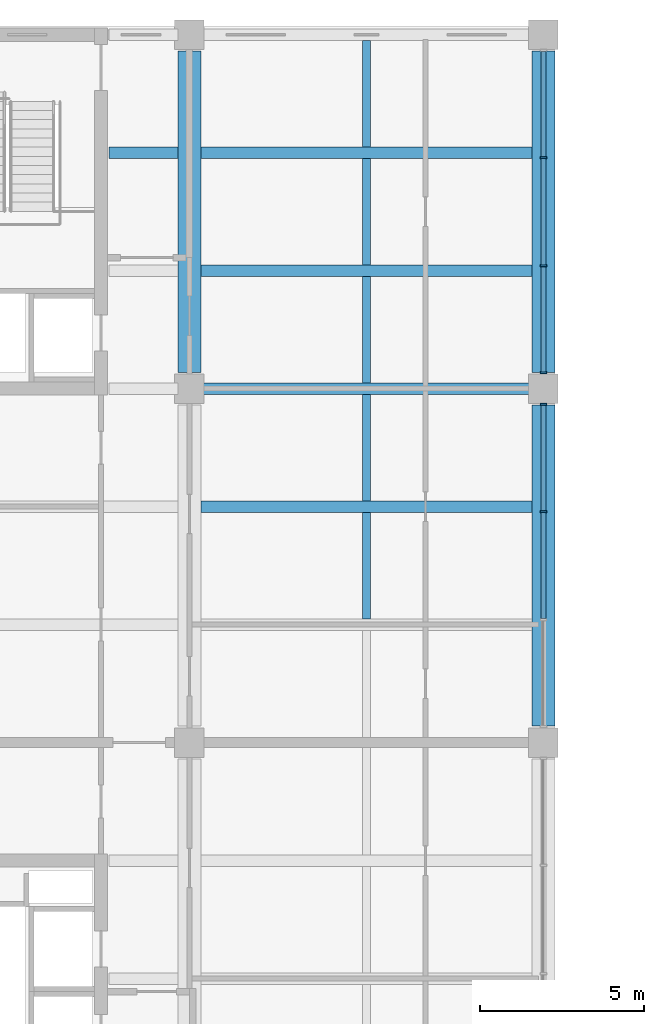
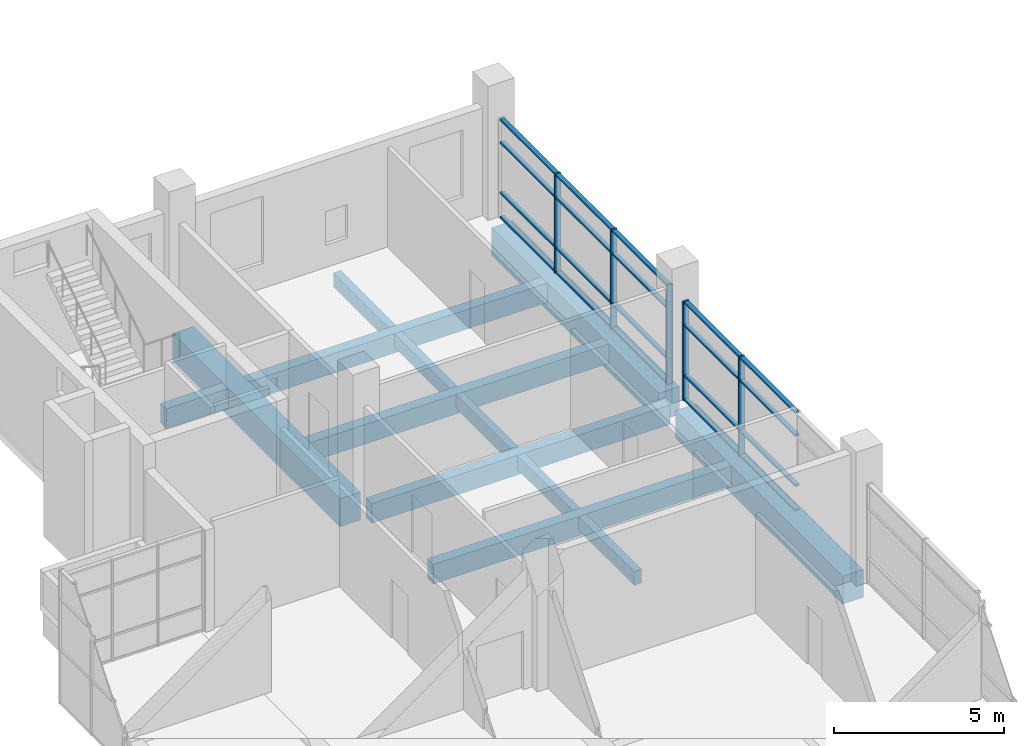
# One storey, part 13 of 32: 25 members, 13 beams, 2 elements without a shape of their own.
"""IFC4 building model written with IfcOpenShell, lengths in metres."""

from ifc_helpers import new_model, si_unit, direction, frame, origin, origin_2d, place, context, subcontext, project, spatial, rectangle, extrude, material, layer, layer_set, material_profile, profile_set, type_object, element, aggregate, save


model = new_model("IFC4")

# Units and contexts
model_context = context("Model", 3, precision=1e-05, world=origin(), true_north=direction((0.0, 1.0)))
body_context = subcontext(model_context, "Body", "Model", "MODEL_VIEW")
ifc_project = project(units=[si_unit("LENGTHUNIT", "METRE"), si_unit("AREAUNIT", "SQUARE_METRE"), si_unit("VOLUMEUNIT", "CUBIC_METRE"), si_unit("PLANEANGLEUNIT", "RADIAN"), si_unit("MASSUNIT", "GRAM", prefix="KILO")], contexts=[model_context])

# Site, building, storey
site_placement = place(None, origin())
site = spatial("IfcSite", under=ifc_project, at=site_placement, CompositionType="ELEMENT")
building_placement = place(site_placement, origin())
building = spatial("IfcBuilding", under=site, at=building_placement, Name="Basin Gate Institute", CompositionType="ELEMENT")
storey_placement = place(building_placement, frame((0.0, 0.0, 41.39990234375)))
storey = spatial("IfcBuildingStorey", under=building, at=storey_placement, Name="L08", CompositionType="ELEMENT", Elevation=41.39990234375)

# Beams
ifc_material_1 = material(Name="Concrete 40 MPa", Category="concrete")
ifc_material_profile_1 = material_profile(ifc_material_1, rectangle(XDim=0.35009765625, YDim=0.699951171875, at=origin_2d()), Name="Beam B1 350 x 700")
ifc_profile_set_1 = profile_set([ifc_material_profile_1], Name="Concrete 40 MPa")
beam_type_1 = type_object("IfcBeamType", Name="Beam B1 R120", PredefinedType="BEAM", material=ifc_profile_set_1)
for number, where, z_axis, x_axis, name in (
    (1, (68.75, 85.5, -0.599853515625), (1.0, 0.0, 0.0), (0.0, 1.0, 0.0), "BEAM/L08/W/EW/15"),
    (2, (68.75, 89.10009765625, -0.599853515625), (1.0, 0.0, 0.0), (0.0, 1.0, 0.0), "BEAM/L08/W/EW/16"),
    (3, (68.75, 92.699951171875, -0.599853515625), (1.0, 0.0, 0.0), (0.0, 1.0, 0.0), "BEAM/L08/W/EW/17"),
    (4, (68.75, 96.300048828125, -0.599853515625), (1.0, 0.0, 0.0), (0.0, 1.0, 0.0), "BEAM/L08/W/EW/18"),
):
    element("IfcBeam", number, at=place(storey_placement, frame(where, z_axis=z_axis, x_axis=x_axis)), inside=storey, type_object=beam_type_1, material=ifc_profile_set_1, Name=name, PredefinedType="BEAM", context=body_context, shape_type="SweptSolid", body=[
        extrude(rectangle(XDim=0.35009765625, YDim=0.699951171875, at=origin_2d()), origin(), (0.0, 0.0, 1.0), 10.10009765625),
    ])
beam_1_placement = place(storey_placement, frame((65.949951171875, 96.300048828125, -0.599853515625), z_axis=(1.0, 0.0, 0.0), x_axis=(0.0, 1.0, 0.0)))
element("IfcBeam", 5, at=beam_1_placement, inside=storey, type_object=beam_type_1, material=ifc_profile_set_1, Name="BEAM/L08/W/CORR/18", PredefinedType="BEAM", context=body_context, shape_type="SweptSolid", body=[
    extrude(rectangle(XDim=0.35009765625, YDim=0.699951171875, at=origin_2d()), origin(), (0.0, 0.0, 1.0), 2.10009765625),
])
ifc_material_2 = material(Name="Concrete 50 MPa", Category="concrete")
ifc_material_profile_2 = material_profile(ifc_material_2, rectangle(XDim=0.699951171875, YDim=1.0, at=origin_2d()), Name="Girder G1 700 x 1000")
ifc_profile_set_2 = profile_set([ifc_material_profile_2], Name="Concrete 50 MPa")
beam_type_2 = type_object("IfcBeamType", Name="Girder G1 R120", PredefinedType="BEAM", material=ifc_profile_set_2)
beam_2_placement = place(storey_placement, frame((68.39990234375, 89.60009765625, -0.75), z_axis=(0.0, 1.0, 0.0), x_axis=(-1.0, 0.0, 0.0)))
element("IfcBeam", 6, at=beam_2_placement, inside=storey, type_object=beam_type_2, material=ifc_profile_set_2, Name="GIR/L08/W5/6", PredefinedType="BEAM", context=body_context, shape_type="SweptSolid", body=[
    extrude(rectangle(XDim=0.699951171875, YDim=1.0, at=origin_2d()), origin(), (0.0, 0.0, 1.0), 9.7998046875),
])
beam_3_placement = place(storey_placement, frame((79.199951171875, 78.800048828125, -0.75), z_axis=(0.0, 1.0, 0.0), x_axis=(-1.0, 0.0, 0.0)))
element("IfcBeam", 7, at=beam_3_placement, inside=storey, type_object=beam_type_2, material=ifc_profile_set_2, Name="GIR/L08/W6/5", PredefinedType="BEAM", context=body_context, shape_type="SweptSolid", body=[
    extrude(rectangle(XDim=0.699951171875, YDim=1.0, at=origin_2d()), origin(), (0.0, 0.0, 1.0), 9.800048828125),
])
beam_4_placement = place(storey_placement, frame((79.199951171875, 89.60009765625, -0.75), z_axis=(0.0, 1.0, 0.0), x_axis=(-1.0, 0.0, 0.0)))
element("IfcBeam", 8, at=beam_4_placement, inside=storey, type_object=beam_type_2, material=ifc_profile_set_2, Name="GIR/L08/W6/6", PredefinedType="BEAM", context=body_context, shape_type="SweptSolid", body=[
    extrude(rectangle(XDim=0.699951171875, YDim=1.0, at=origin_2d()), origin(), (0.0, 0.0, 1.0), 9.7998046875),
])

# Curtain wall, members
ifc_material_3 = material(Name="Aluminium-framed glazing", Category="aluminium")
ifc_layer = layer(ifc_material_3, 0.199951171875)
ifc_layer_set = layer_set([ifc_layer], Name="Atrium curtain wall CW2")
curtain_wall_type = type_object("IfcCurtainWallType", Name="Atrium curtain wall CW2", PredefinedType="NOTDEFINED", material=ifc_layer_set)
curtain_wall_1_placement = place(storey_placement, origin())
curtain_wall_1 = element("IfcCurtainWall", 9, at=curtain_wall_1_placement, inside=storey, type_object=curtain_wall_type, material=ifc_layer_set, Name="Atrium curtain wall W wing atrium bay 5 L08", PredefinedType="NOTDEFINED")
ifc_material_4 = material(Name="Aluminium", Category="aluminium")
ifc_material_profile_3 = material_profile(ifc_material_4, rectangle(XDim=0.199951171875, YDim=0.06005859375, at=origin_2d()), Name="Mullion MU2 200 x 60")
ifc_profile_set_3 = profile_set([ifc_material_profile_3], Name="Aluminium")
member_type_1 = type_object("IfcMemberType", Name="Mullion MU2", PredefinedType="MULLION", material=ifc_profile_set_3)
member_1_placement = place(storey_placement, frame((79.199951171875, 85.35009765625, 0.0), z_axis=(0.0, 0.0, 1.0), x_axis=(-1.0, 0.0, 0.0)))
member_1 = element("IfcMember", 10, at=member_1_placement, type_object=member_type_1, material=ifc_profile_set_3, Name="CW2 mullion 3", PredefinedType="MULLION", context=body_context, shape_type="SweptSolid", body=[
    extrude(rectangle(XDim=0.199951171875, YDim=0.06005859375, at=origin_2d()), origin(), (0.0, 0.0, 1.0), 3.550048828125),
])
member_2_placement = place(storey_placement, frame((79.199951171875, 88.6201171875, 0.0), z_axis=(0.0, 0.0, 1.0), x_axis=(-1.0, 0.0, 0.0)))
member_2 = element("IfcMember", 11, at=member_2_placement, type_object=member_type_1, material=ifc_profile_set_3, Name="CW2 mullion 4", PredefinedType="MULLION", context=body_context, shape_type="SweptSolid", body=[
    extrude(rectangle(XDim=0.199951171875, YDim=0.06005859375, at=origin_2d()), origin(), (0.0, 0.0, 1.0), 3.550048828125),
])

curtain_wall_2_placement = place(storey_placement, origin())
curtain_wall_2 = element("IfcCurtainWall", 12, at=curtain_wall_2_placement, inside=storey, type_object=curtain_wall_type, material=ifc_layer_set, Name="Atrium curtain wall W wing atrium bay 6 L08", PredefinedType="NOTDEFINED")
member_3_placement = place(storey_placement, frame((79.199951171875, 89.580078125, 0.0), z_axis=(0.0, 0.0, 1.0), x_axis=(-1.0, 0.0, 0.0)))
member_3 = element("IfcMember", 13, at=member_3_placement, type_object=member_type_1, material=ifc_profile_set_3, Name="CW2 mullion 1", PredefinedType="MULLION", context=body_context, shape_type="SweptSolid", body=[
    extrude(rectangle(XDim=0.199951171875, YDim=0.06005859375, at=origin_2d()), origin(), (0.0, 0.0, 1.0), 3.550048828125),
])
member_4_placement = place(storey_placement, frame((79.199951171875, 92.85009765625, 0.0), z_axis=(0.0, 0.0, 1.0), x_axis=(-1.0, 0.0, 0.0)))
member_4 = element("IfcMember", 14, at=member_4_placement, type_object=member_type_1, material=ifc_profile_set_3, Name="CW2 mullion 2", PredefinedType="MULLION", context=body_context, shape_type="SweptSolid", body=[
    extrude(rectangle(XDim=0.199951171875, YDim=0.06005859375, at=origin_2d()), origin(), (0.0, 0.0, 1.0), 3.550048828125),
])
member_5_placement = place(storey_placement, frame((79.199951171875, 96.14990234375, 0.0), z_axis=(0.0, 0.0, 1.0), x_axis=(-1.0, 0.0, 0.0)))
member_5 = element("IfcMember", 15, at=member_5_placement, type_object=member_type_1, material=ifc_profile_set_3, Name="CW2 mullion 3", PredefinedType="MULLION", context=body_context, shape_type="SweptSolid", body=[
    extrude(rectangle(XDim=0.199951171875, YDim=0.06005859375, at=origin_2d()), origin(), (0.0, 0.0, 1.0), 3.550048828125),
])

# Beams
ifc_material_5 = material(Name="Concrete 40 MPa", Category="concrete")
ifc_material_profile_4 = material_profile(ifc_material_5, rectangle(XDim=0.25, YDim=0.5, at=origin_2d()), Name="Rib R1 250 x 500")
ifc_profile_set_4 = profile_set([ifc_material_profile_4], Name="Concrete 40 MPa")
beam_type_3 = type_object("IfcBeamType", Name="Rib R1 R120", PredefinedType="JOIST", material=ifc_profile_set_4)
for number, where, z_axis, x_axis, name in (
    (16, (73.800048828125, 82.074951171875, -0.5), (0.0, 1.0, 0.0), (-1.0, 0.0, 0.0), "BEAM/L08/W/RIB/14"),
    (17, (73.800048828125, 85.675048828125, -0.5), (0.0, 1.0, 0.0), (-1.0, 0.0, 0.0), "BEAM/L08/W/RIB/15"),
    (18, (73.800048828125, 89.27490234375, -0.5), (0.0, 1.0, 0.0), (-1.0, 0.0, 0.0), "BEAM/L08/W/RIB/16"),
    (19, (73.800048828125, 92.875, -0.5), (0.0, 1.0, 0.0), (-1.0, 0.0, 0.0), "BEAM/L08/W/RIB/17"),
    (20, (73.800048828125, 96.47509765625, -0.5), (0.0, 1.0, 0.0), (-1.0, 0.0, 0.0), "BEAM/L08/W/RIB/18"),
):
    element("IfcBeam", number, at=place(storey_placement, frame(where, z_axis=z_axis, x_axis=x_axis)), inside=storey, type_object=beam_type_3, material=ifc_profile_set_4, Name=name, PredefinedType="JOIST", context=body_context, shape_type="SweptSolid", body=[
        extrude(rectangle(XDim=0.25, YDim=0.5, at=origin_2d()), origin(), (0.0, 0.0, 1.0), 3.25),
    ])

# Member
ifc_material_6 = material(Name="Aluminium", Category="aluminium")
ifc_material_profile_5 = material_profile(ifc_material_6, rectangle(XDim=0.14990234375, YDim=0.06005859375, at=origin_2d()), Name="Transom TR2 150 x 60")
ifc_profile_set_5 = profile_set([ifc_material_profile_5], Name="Aluminium")
member_type_2 = type_object("IfcMemberType", Name="Transom TR2", PredefinedType="USERDEFINED", material=ifc_profile_set_5)
member_6_placement = place(storey_placement, frame((79.199951171875, 82.080078125, 0.030029296875), z_axis=(0.0, 1.0, 0.0), x_axis=(-1.0, 0.0, 0.0)))
member_6 = element("IfcMember", 21, at=member_6_placement, type_object=member_type_2, material=ifc_profile_set_5, Name="CW2 transom 2.1", ObjectType="TRANSOM", PredefinedType="USERDEFINED", context=body_context, shape_type="SweptSolid", body=[
    extrude(rectangle(XDim=0.14990234375, YDim=0.06005859375, at=origin_2d()), origin(), (0.0, 0.0, 1.0), 3.239990234375),
])

member_7_placement = place(storey_placement, frame((79.199951171875, 82.080078125, 0.900146484375), z_axis=(0.0, 1.0, 0.0), x_axis=(-1.0, 0.0, 0.0)))
member_7 = element("IfcMember", 22, at=member_7_placement, type_object=member_type_2, material=ifc_profile_set_5, Name="CW2 transom 2.2", ObjectType="TRANSOM", PredefinedType="USERDEFINED", context=body_context, shape_type="SweptSolid", body=[
    extrude(rectangle(XDim=0.14990234375, YDim=0.06005859375, at=origin_2d()), origin(), (0.0, 0.0, 1.0), 3.239990234375),
])

member_8_placement = place(storey_placement, frame((79.199951171875, 82.080078125, 2.7001953125), z_axis=(0.0, 1.0, 0.0), x_axis=(-1.0, 0.0, 0.0)))
member_8 = element("IfcMember", 23, at=member_8_placement, type_object=member_type_2, material=ifc_profile_set_5, Name="CW2 transom 2.3", ObjectType="TRANSOM", PredefinedType="USERDEFINED", context=body_context, shape_type="SweptSolid", body=[
    extrude(rectangle(XDim=0.14990234375, YDim=0.06005859375, at=origin_2d()), origin(), (0.0, 0.0, 1.0), 3.239990234375),
])

member_9_placement = place(storey_placement, frame((79.199951171875, 82.080078125, 3.52001953125), z_axis=(0.0, 1.0, 0.0), x_axis=(-1.0, 0.0, 0.0)))
member_9 = element("IfcMember", 24, at=member_9_placement, type_object=member_type_2, material=ifc_profile_set_5, Name="CW2 transom 2.4", ObjectType="TRANSOM", PredefinedType="USERDEFINED", context=body_context, shape_type="SweptSolid", body=[
    extrude(rectangle(XDim=0.14990234375, YDim=0.06005859375, at=origin_2d()), origin(), (0.0, 0.0, 1.0), 3.239990234375),
])

member_10_placement = place(storey_placement, frame((79.199951171875, 85.3798828125, 0.030029296875), z_axis=(0.0, 1.0, 0.0), x_axis=(-1.0, 0.0, 0.0)))
member_10 = element("IfcMember", 25, at=member_10_placement, type_object=member_type_2, material=ifc_profile_set_5, Name="CW2 transom 3.1", ObjectType="TRANSOM", PredefinedType="USERDEFINED", context=body_context, shape_type="SweptSolid", body=[
    extrude(rectangle(XDim=0.14990234375, YDim=0.06005859375, at=origin_2d()), origin(), (0.0, 0.0, 1.0), 3.210205078125),
])

member_11_placement = place(storey_placement, frame((79.199951171875, 85.3798828125, 0.900146484375), z_axis=(0.0, 1.0, 0.0), x_axis=(-1.0, 0.0, 0.0)))
member_11 = element("IfcMember", 26, at=member_11_placement, type_object=member_type_2, material=ifc_profile_set_5, Name="CW2 transom 3.2", ObjectType="TRANSOM", PredefinedType="USERDEFINED", context=body_context, shape_type="SweptSolid", body=[
    extrude(rectangle(XDim=0.14990234375, YDim=0.06005859375, at=origin_2d()), origin(), (0.0, 0.0, 1.0), 3.210205078125),
])

member_12_placement = place(storey_placement, frame((79.199951171875, 85.3798828125, 2.7001953125), z_axis=(0.0, 1.0, 0.0), x_axis=(-1.0, 0.0, 0.0)))
member_12 = element("IfcMember", 27, at=member_12_placement, type_object=member_type_2, material=ifc_profile_set_5, Name="CW2 transom 3.3", ObjectType="TRANSOM", PredefinedType="USERDEFINED", context=body_context, shape_type="SweptSolid", body=[
    extrude(rectangle(XDim=0.14990234375, YDim=0.06005859375, at=origin_2d()), origin(), (0.0, 0.0, 1.0), 3.210205078125),
])

member_13_placement = place(storey_placement, frame((79.199951171875, 85.3798828125, 3.52001953125), z_axis=(0.0, 1.0, 0.0), x_axis=(-1.0, 0.0, 0.0)))
member_13 = element("IfcMember", 28, at=member_13_placement, type_object=member_type_2, material=ifc_profile_set_5, Name="CW2 transom 3.4", ObjectType="TRANSOM", PredefinedType="USERDEFINED", context=body_context, shape_type="SweptSolid", body=[
    extrude(rectangle(XDim=0.14990234375, YDim=0.06005859375, at=origin_2d()), origin(), (0.0, 0.0, 1.0), 3.210205078125),
])

aggregate(curtain_wall_1, [member_1, member_2, member_6, member_7, member_8, member_9, member_10, member_11, member_12, member_13])

member_14_placement = place(storey_placement, frame((79.199951171875, 89.610107421875, 0.030029296875), z_axis=(0.0, 1.0, 0.0), x_axis=(-1.0, 0.0, 0.0)))
member_14 = element("IfcMember", 29, at=member_14_placement, type_object=member_type_2, material=ifc_profile_set_5, Name="CW2 transom 1.1", ObjectType="TRANSOM", PredefinedType="USERDEFINED", context=body_context, shape_type="SweptSolid", body=[
    extrude(rectangle(XDim=0.14990234375, YDim=0.06005859375, at=origin_2d()), origin(), (0.0, 0.0, 1.0), 3.2099609375),
])

member_15_placement = place(storey_placement, frame((79.199951171875, 89.610107421875, 0.900146484375), z_axis=(0.0, 1.0, 0.0), x_axis=(-1.0, 0.0, 0.0)))
member_15 = element("IfcMember", 30, at=member_15_placement, type_object=member_type_2, material=ifc_profile_set_5, Name="CW2 transom 1.2", ObjectType="TRANSOM", PredefinedType="USERDEFINED", context=body_context, shape_type="SweptSolid", body=[
    extrude(rectangle(XDim=0.14990234375, YDim=0.06005859375, at=origin_2d()), origin(), (0.0, 0.0, 1.0), 3.2099609375),
])

member_16_placement = place(storey_placement, frame((79.199951171875, 89.610107421875, 2.7001953125), z_axis=(0.0, 1.0, 0.0), x_axis=(-1.0, 0.0, 0.0)))
member_16 = element("IfcMember", 31, at=member_16_placement, type_object=member_type_2, material=ifc_profile_set_5, Name="CW2 transom 1.3", ObjectType="TRANSOM", PredefinedType="USERDEFINED", context=body_context, shape_type="SweptSolid", body=[
    extrude(rectangle(XDim=0.14990234375, YDim=0.06005859375, at=origin_2d()), origin(), (0.0, 0.0, 1.0), 3.2099609375),
])

member_17_placement = place(storey_placement, frame((79.199951171875, 89.610107421875, 3.52001953125), z_axis=(0.0, 1.0, 0.0), x_axis=(-1.0, 0.0, 0.0)))
member_17 = element("IfcMember", 32, at=member_17_placement, type_object=member_type_2, material=ifc_profile_set_5, Name="CW2 transom 1.4", ObjectType="TRANSOM", PredefinedType="USERDEFINED", context=body_context, shape_type="SweptSolid", body=[
    extrude(rectangle(XDim=0.14990234375, YDim=0.06005859375, at=origin_2d()), origin(), (0.0, 0.0, 1.0), 3.2099609375),
])

member_18_placement = place(storey_placement, frame((79.199951171875, 92.8798828125, 0.030029296875), z_axis=(0.0, 1.0, 0.0), x_axis=(-1.0, 0.0, 0.0)))
member_18 = element("IfcMember", 33, at=member_18_placement, type_object=member_type_2, material=ifc_profile_set_5, Name="CW2 transom 2.1", ObjectType="TRANSOM", PredefinedType="USERDEFINED", context=body_context, shape_type="SweptSolid", body=[
    extrude(rectangle(XDim=0.14990234375, YDim=0.06005859375, at=origin_2d()), origin(), (0.0, 0.0, 1.0), 3.240234375),
])

member_19_placement = place(storey_placement, frame((79.199951171875, 92.8798828125, 0.900146484375), z_axis=(0.0, 1.0, 0.0), x_axis=(-1.0, 0.0, 0.0)))
member_19 = element("IfcMember", 34, at=member_19_placement, type_object=member_type_2, material=ifc_profile_set_5, Name="CW2 transom 2.2", ObjectType="TRANSOM", PredefinedType="USERDEFINED", context=body_context, shape_type="SweptSolid", body=[
    extrude(rectangle(XDim=0.14990234375, YDim=0.06005859375, at=origin_2d()), origin(), (0.0, 0.0, 1.0), 3.240234375),
])

member_20_placement = place(storey_placement, frame((79.199951171875, 92.8798828125, 2.7001953125), z_axis=(0.0, 1.0, 0.0), x_axis=(-1.0, 0.0, 0.0)))
member_20 = element("IfcMember", 35, at=member_20_placement, type_object=member_type_2, material=ifc_profile_set_5, Name="CW2 transom 2.3", ObjectType="TRANSOM", PredefinedType="USERDEFINED", context=body_context, shape_type="SweptSolid", body=[
    extrude(rectangle(XDim=0.14990234375, YDim=0.06005859375, at=origin_2d()), origin(), (0.0, 0.0, 1.0), 3.240234375),
])

member_21_placement = place(storey_placement, frame((79.199951171875, 92.8798828125, 3.52001953125), z_axis=(0.0, 1.0, 0.0), x_axis=(-1.0, 0.0, 0.0)))
member_21 = element("IfcMember", 36, at=member_21_placement, type_object=member_type_2, material=ifc_profile_set_5, Name="CW2 transom 2.4", ObjectType="TRANSOM", PredefinedType="USERDEFINED", context=body_context, shape_type="SweptSolid", body=[
    extrude(rectangle(XDim=0.14990234375, YDim=0.06005859375, at=origin_2d()), origin(), (0.0, 0.0, 1.0), 3.240234375),
])

member_22_placement = place(storey_placement, frame((79.199951171875, 96.179931640625, 0.030029296875), z_axis=(0.0, 1.0, 0.0), x_axis=(-1.0, 0.0, 0.0)))
member_22 = element("IfcMember", 37, at=member_22_placement, type_object=member_type_2, material=ifc_profile_set_5, Name="CW2 transom 3.1", ObjectType="TRANSOM", PredefinedType="USERDEFINED", context=body_context, shape_type="SweptSolid", body=[
    extrude(rectangle(XDim=0.14990234375, YDim=0.06005859375, at=origin_2d()), origin(), (0.0, 0.0, 1.0), 3.2099609375),
])

member_23_placement = place(storey_placement, frame((79.199951171875, 96.179931640625, 0.900146484375), z_axis=(0.0, 1.0, 0.0), x_axis=(-1.0, 0.0, 0.0)))
member_23 = element("IfcMember", 38, at=member_23_placement, type_object=member_type_2, material=ifc_profile_set_5, Name="CW2 transom 3.2", ObjectType="TRANSOM", PredefinedType="USERDEFINED", context=body_context, shape_type="SweptSolid", body=[
    extrude(rectangle(XDim=0.14990234375, YDim=0.06005859375, at=origin_2d()), origin(), (0.0, 0.0, 1.0), 3.2099609375),
])

member_24_placement = place(storey_placement, frame((79.199951171875, 96.179931640625, 2.7001953125), z_axis=(0.0, 1.0, 0.0), x_axis=(-1.0, 0.0, 0.0)))
member_24 = element("IfcMember", 39, at=member_24_placement, type_object=member_type_2, material=ifc_profile_set_5, Name="CW2 transom 3.3", ObjectType="TRANSOM", PredefinedType="USERDEFINED", context=body_context, shape_type="SweptSolid", body=[
    extrude(rectangle(XDim=0.14990234375, YDim=0.06005859375, at=origin_2d()), origin(), (0.0, 0.0, 1.0), 3.2099609375),
])

member_25_placement = place(storey_placement, frame((79.199951171875, 96.179931640625, 3.52001953125), z_axis=(0.0, 1.0, 0.0), x_axis=(-1.0, 0.0, 0.0)))
member_25 = element("IfcMember", 40, at=member_25_placement, type_object=member_type_2, material=ifc_profile_set_5, Name="CW2 transom 3.4", ObjectType="TRANSOM", PredefinedType="USERDEFINED", context=body_context, shape_type="SweptSolid", body=[
    extrude(rectangle(XDim=0.14990234375, YDim=0.06005859375, at=origin_2d()), origin(), (0.0, 0.0, 1.0), 3.2099609375),
])

aggregate(curtain_wall_2, [member_3, member_4, member_5, member_14, member_15, member_16, member_17, member_18, member_19, member_20, member_21, member_22, member_23, member_24, member_25])

save(model, "model.ifc")
